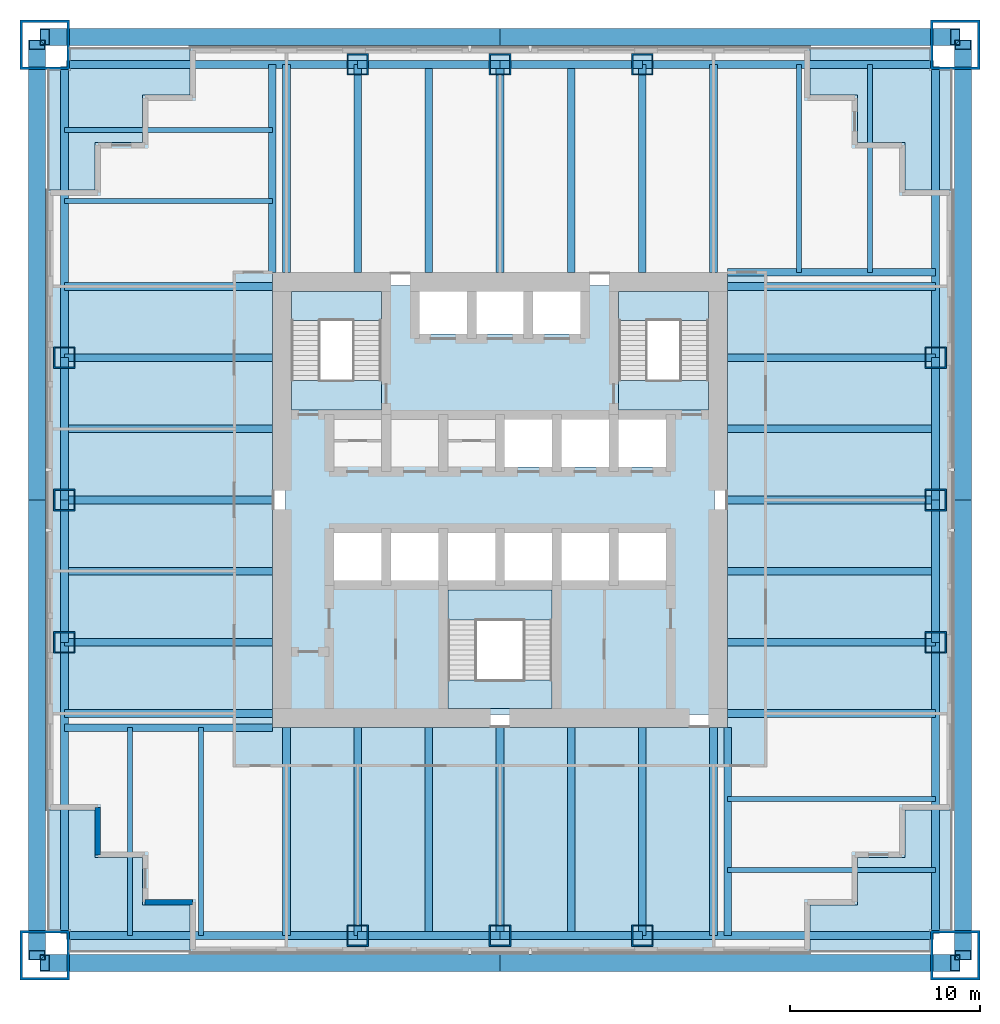
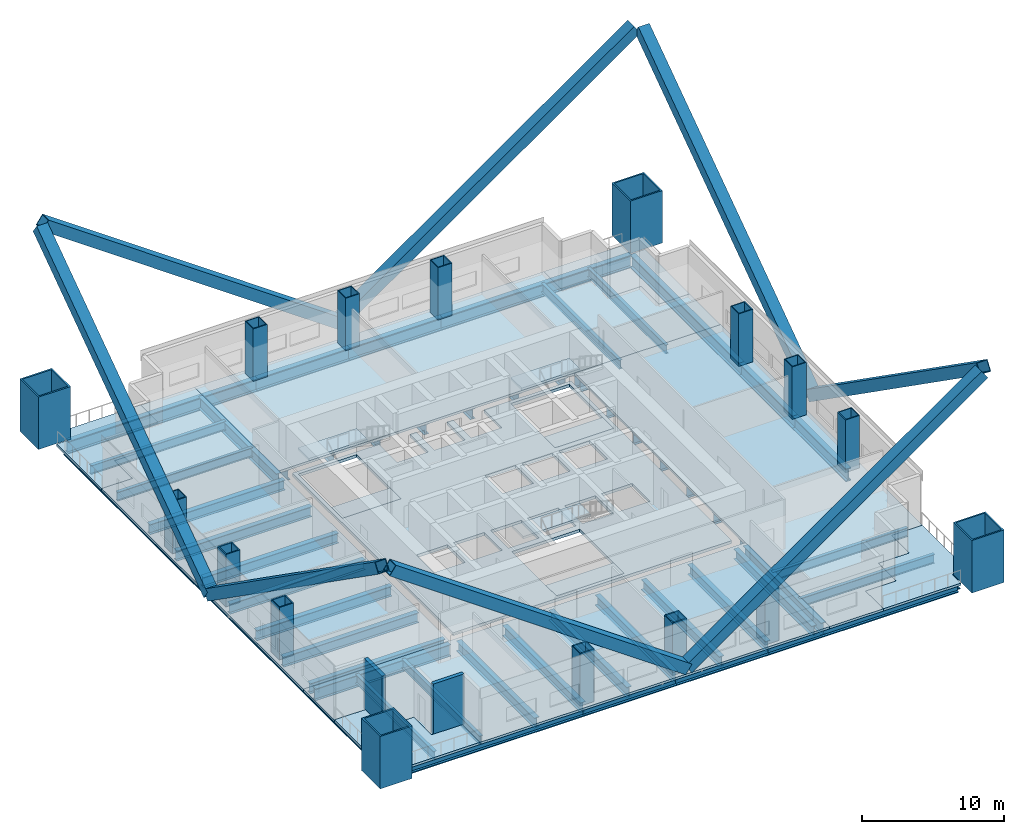
# One storey, part 1 of 7: 56 beams, 16 columns, 15 slabs, 8 members, 2 walls, 3 elements without a shape of their own.
"""IFC4 building model written with IfcOpenShell, lengths in metres."""

from ifc_helpers import new_model, si_unit, direction, frame, frame_2d, origin, origin_2d, place, context, subcontext, project, spatial, polyline, rectangle, hollow_rectangle, i_section, outline, extrude, material, layer, layer_set, material_profile, profile_set, type_object, element, aggregate, save


model = new_model("IFC4")

# Units and contexts
model_context = context("Model", 3, precision=1e-05, world=origin(), true_north=direction((0.0, 1.0)))
body_context = subcontext(model_context, "Body", "Model", "MODEL_VIEW")
ifc_project = project(units=[si_unit("LENGTHUNIT", "METRE"), si_unit("AREAUNIT", "SQUARE_METRE"), si_unit("VOLUMEUNIT", "CUBIC_METRE"), si_unit("PLANEANGLEUNIT", "RADIAN"), si_unit("MASSUNIT", "GRAM", prefix="KILO")], contexts=[model_context])

# Site, building, storey
site_placement = place(None, origin())
site = spatial("IfcSite", under=ifc_project, at=site_placement, CompositionType="ELEMENT")
building_placement = place(site_placement, origin())
building = spatial("IfcBuilding", under=site, at=building_placement, Name="Tarangal Relay Tower", CompositionType="ELEMENT")
storey_placement = place(building_placement, frame((0.0, 0.0, 153.89990234375)))
storey = spatial("IfcBuildingStorey", under=building, at=storey_placement, Name="L31", CompositionType="ELEMENT", Elevation=153.89990234375)

# Columns
ifc_material_1 = material(Name="Steel ASTM A572 Grade 42", Category="steel")
ifc_material_profile_1 = material_profile(ifc_material_1, hollow_rectangle(XDim=2.60009765625, YDim=2.60009765625, WallThickness=0.1298828125, at=origin_2d()), Name="BOX2600X2600X130")
ifc_profile_set_1 = profile_set([ifc_material_profile_1], Name="Steel ASTM A572 Grade 42")
column_type_1 = type_object("IfcColumnType", Name="Mega column BOX2600X2600X130", PredefinedType="COLUMN", material=ifc_profile_set_1)
for number, where, z_axis, x_axis, name in (
    (1, (24.0, 24.0, 0.0), (0.0, 0.0, 1.0), (1.0, 0.0, 0.0), "Mega column MC2 NE L31"),
    (2, (24.0, -24.0, 0.0), (0.0, 0.0, 1.0), (1.0, 0.0, 0.0), "Mega column MC2 SE L31"),
    (3, (-24.0, -24.0, 0.0), (0.0, 0.0, 1.0), (1.0, 0.0, 0.0), "Mega column MC2 SW L31"),
    (4, (-24.0, 24.0, 0.0), (0.0, 0.0, 1.0), (1.0, 0.0, 0.0), "Mega column MC2 NW L31"),
):
    element("IfcColumn", number, at=place(storey_placement, frame(where, z_axis=z_axis, x_axis=x_axis)), inside=storey, type_object=column_type_1, Name=name, PredefinedType="COLUMN", context=body_context, shape_type="SweptSolid", body=[
        extrude(hollow_rectangle(XDim=2.60009765625, YDim=2.60009765625, WallThickness=0.1298828125, at=origin_2d()), origin(), (0.0, 0.0, 1.0), 4.5),
    ])
ifc_material_2 = material(Name="Steel ASTM A572 Grade 50", Category="steel")
ifc_material_profile_2 = material_profile(ifc_material_2, hollow_rectangle(XDim=1.14990234375, YDim=1.14990234375, WallThickness=0.074951171875, at=origin_2d()), Name="BOX1150X1150X75")
ifc_profile_set_2 = profile_set([ifc_material_profile_2], Name="Steel ASTM A572 Grade 50")
column_type_2 = type_object("IfcColumnType", Name="Perimeter column BOX1150X1150X75", PredefinedType="COLUMN", material=ifc_profile_set_2)
for number, where, z_axis, x_axis, name in (
    (5, (-7.5, 22.965087890625, 0.0), (0.0, 0.0, 1.0), (1.0, 0.0, 0.0), "Perimeter column PC3 N L31"),
    (6, (0.0, 22.965087890625, 0.0), (0.0, 0.0, 1.0), (1.0, 0.0, 0.0), "Perimeter column PC3 N L31"),
    (7, (7.5, 22.965087890625, 0.0), (0.0, 0.0, 1.0), (1.0, 0.0, 0.0), "Perimeter column PC3 N L31"),
    (8, (22.965087890625, 7.5, 0.0), (0.0, 0.0, 1.0), (1.0, 0.0, 0.0), "Perimeter column PC3 E L31"),
    (9, (22.965087890625, 0.0, 0.0), (0.0, 0.0, 1.0), (1.0, 0.0, 0.0), "Perimeter column PC3 E L31"),
    (10, (22.965087890625, -7.5, 0.0), (0.0, 0.0, 1.0), (1.0, 0.0, 0.0), "Perimeter column PC3 E L31"),
    (11, (7.5, -22.965087890625, 0.0), (0.0, 0.0, 1.0), (1.0, 0.0, 0.0), "Perimeter column PC3 S L31"),
    (12, (0.0, -22.965087890625, 0.0), (0.0, 0.0, 1.0), (1.0, 0.0, 0.0), "Perimeter column PC3 S L31"),
    (13, (-7.5, -22.965087890625, 0.0), (0.0, 0.0, 1.0), (1.0, 0.0, 0.0), "Perimeter column PC3 S L31"),
    (14, (-22.965087890625, -7.5, 0.0), (0.0, 0.0, 1.0), (1.0, 0.0, 0.0), "Perimeter column PC3 W L31"),
    (15, (-22.965087890625, 0.0, 0.0), (0.0, 0.0, 1.0), (1.0, 0.0, 0.0), "Perimeter column PC3 W L31"),
    (16, (-22.965087890625, 7.5, 0.0), (0.0, 0.0, 1.0), (1.0, 0.0, 0.0), "Perimeter column PC3 W L31"),
):
    element("IfcColumn", number, at=place(storey_placement, frame(where, z_axis=z_axis, x_axis=x_axis)), inside=storey, type_object=column_type_2, Name=name, PredefinedType="COLUMN", context=body_context, shape_type="SweptSolid", body=[
        extrude(hollow_rectangle(XDim=1.14990234375, YDim=1.14990234375, WallThickness=0.074951171875, at=origin_2d()), origin(), (0.0, 0.0, 1.0), 4.5),
    ])

# Beams
ifc_material_3 = material(Name="Steel ASTM A992", Category="steel")
ifc_material_profile_3 = material_profile(ifc_material_3, i_section(OverallWidth=0.2666015625, OverallDepth=0.76953125, WebThickness=0.015625, FlangeThickness=0.025390625, at=origin_2d()), Name="W30X132")
ifc_profile_set_3 = profile_set([ifc_material_profile_3], Name="Steel ASTM A992")
beam_type_1 = type_object("IfcBeamType", Name="Corner beam W30X132", PredefinedType="JOIST", material=ifc_profile_set_3)
for number, where, z_axis, x_axis, name in (
    (17, (15.75, 12.0, -0.584716796875), (0.0, 1.0, 0.0), (-1.0, 0.0, 0.0), "Corner beam CB13 N L31"),
    (18, (19.5, 12.0, -0.584716796875), (0.0, 1.0, 0.0), (-1.0, 0.0, 0.0), "Corner beam CB13 N L31"),
    (19, (12.0, -15.75, -0.584716796875), (1.0, 0.0, 0.0), (0.0, 1.0, 0.0), "Corner beam CB13 E L31"),
    (20, (12.0, -19.5, -0.584716796875), (1.0, 0.0, 0.0), (0.0, 1.0, 0.0), "Corner beam CB13 E L31"),
    (21, (-15.75, -12.0, -0.584716796875), (0.0, -1.0, 0.0), (1.0, 0.0, 0.0), "Corner beam CB13 S L31"),
    (22, (-19.5, -12.0, -0.584716796875), (0.0, -1.0, 0.0), (1.0, 0.0, 0.0), "Corner beam CB13 S L31"),
    (23, (-12.0, 15.75, -0.584716796875), (-1.0, 0.0, 0.0), (0.0, -1.0, 0.0), "Corner beam CB13 W L31"),
    (24, (-12.0, 19.5, -0.584716796875), (-1.0, 0.0, 0.0), (0.0, -1.0, 0.0), "Corner beam CB13 W L31"),
):
    element("IfcBeam", number, at=place(storey_placement, frame(where, z_axis=z_axis, x_axis=x_axis)), inside=storey, type_object=beam_type_1, Name=name, PredefinedType="JOIST", context=body_context, shape_type="SweptSolid", body=[
        extrude(i_section(OverallWidth=0.2666015625, OverallDepth=0.76953125, WebThickness=0.015625, FlangeThickness=0.025390625, at=origin_2d()), origin(), (0.0, 0.0, 1.0), 10.965087890625),
    ])
ifc_material_profile_4 = material_profile(ifc_material_3, i_section(OverallWidth=0.4013671875, OverallDepth=1.01611328125, WebThickness=0.02099609375, FlangeThickness=0.0400390625, at=origin_2d()), Name="W40X277")
ifc_profile_set_4 = profile_set([ifc_material_profile_4], Name="Steel ASTM A992")
beam_type_2 = type_object("IfcBeamType", Name="Corner girder W40X277", PredefinedType="BEAM", material=ifc_profile_set_4)
for number, where, z_axis, x_axis, name in (
    (25, (12.0, 12.0, -0.7080078125), (1.0, 0.0, 0.0), (0.0, 1.0, 0.0), "Corner girder CG3 N L31"),
    (26, (12.0, -12.0, -0.7080078125), (0.0, -1.0, 0.0), (1.0, 0.0, 0.0), "Corner girder CG3 E L31"),
    (27, (-12.0, -12.0, -0.7080078125), (-1.0, 0.0, 0.0), (0.0, -1.0, 0.0), "Corner girder CG3 S L31"),
    (28, (-12.0, 12.0, -0.7080078125), (0.0, 1.0, 0.0), (-1.0, 0.0, 0.0), "Corner girder CG3 W L31"),
):
    element("IfcBeam", number, at=place(storey_placement, frame(where, z_axis=z_axis, x_axis=x_axis)), inside=storey, type_object=beam_type_2, Name=name, PredefinedType="BEAM", context=body_context, shape_type="SweptSolid", body=[
        extrude(i_section(OverallWidth=0.4013671875, OverallDepth=1.01611328125, WebThickness=0.02099609375, FlangeThickness=0.0400390625, at=origin_2d()), origin(), (0.0, 0.0, 1.0), 10.965087890625),
    ])
ifc_material_profile_5 = material_profile(ifc_material_3, i_section(OverallWidth=0.42431640625, OverallDepth=1.09228515625, WebThickness=0.04541015625, FlangeThickness=0.08203125, at=origin_2d()), Name="W40X593")
ifc_profile_set_5 = profile_set([ifc_material_profile_5], Name="Steel ASTM A992")
beam_type_3 = type_object("IfcBeamType", Name="Edge girder W40X593", PredefinedType="SPANDREL", material=ifc_profile_set_5)
beam_1_placement = place(storey_placement, frame((-22.85009765625, 22.965087890625, -0.74609375), z_axis=(1.0, 0.0, 0.0), x_axis=(0.0, 1.0, 0.0)))
element("IfcBeam", 29, at=beam_1_placement, inside=storey, type_object=beam_type_3, Name="Edge girder EG9 N L31", PredefinedType="SPANDREL", context=body_context, shape_type="SweptSolid", body=[
    extrude(i_section(OverallWidth=0.42431640625, OverallDepth=1.09228515625, WebThickness=0.04541015625, FlangeThickness=0.08203125, at=origin_2d()), origin(), (0.0, 0.0, 1.0), 15.35009765625),
])
for number, where, z_axis, x_axis, name in (
    (30, (-7.5, 22.965087890625, -0.74609375), (1.0, 0.0, 0.0), (0.0, 1.0, 0.0), "Edge girder EG9 N L31"),
    (31, (0.0, 22.965087890625, -0.74609375), (1.0, 0.0, 0.0), (0.0, 1.0, 0.0), "Edge girder EG9 N L31"),
):
    element("IfcBeam", number, at=place(storey_placement, frame(where, z_axis=z_axis, x_axis=x_axis)), inside=storey, type_object=beam_type_3, Name=name, PredefinedType="SPANDREL", context=body_context, shape_type="SweptSolid", body=[
        extrude(i_section(OverallWidth=0.42431640625, OverallDepth=1.09228515625, WebThickness=0.04541015625, FlangeThickness=0.08203125, at=origin_2d()), origin(), (0.0, 0.0, 1.0), 7.5),
    ])
for number, where, z_axis, x_axis, name in (
    (32, (7.5, 22.965087890625, -0.74609375), (1.0, 0.0, 0.0), (0.0, 1.0, 0.0), "Edge girder EG9 N L31"),
    (33, (22.965087890625, 22.85009765625, -0.74609375), (0.0, -1.0, 0.0), (1.0, 0.0, 0.0), "Edge girder EG9 E L31"),
):
    element("IfcBeam", number, at=place(storey_placement, frame(where, z_axis=z_axis, x_axis=x_axis)), inside=storey, type_object=beam_type_3, Name=name, PredefinedType="SPANDREL", context=body_context, shape_type="SweptSolid", body=[
        extrude(i_section(OverallWidth=0.42431640625, OverallDepth=1.09228515625, WebThickness=0.04541015625, FlangeThickness=0.08203125, at=origin_2d()), origin(), (0.0, 0.0, 1.0), 15.35009765625),
    ])
for number, where, z_axis, x_axis, name in (
    (34, (22.965087890625, 7.5, -0.74609375), (0.0, -1.0, 0.0), (1.0, 0.0, 0.0), "Edge girder EG9 E L31"),
    (35, (22.965087890625, 0.0, -0.74609375), (0.0, -1.0, 0.0), (1.0, 0.0, 0.0), "Edge girder EG9 E L31"),
):
    element("IfcBeam", number, at=place(storey_placement, frame(where, z_axis=z_axis, x_axis=x_axis)), inside=storey, type_object=beam_type_3, Name=name, PredefinedType="SPANDREL", context=body_context, shape_type="SweptSolid", body=[
        extrude(i_section(OverallWidth=0.42431640625, OverallDepth=1.09228515625, WebThickness=0.04541015625, FlangeThickness=0.08203125, at=origin_2d()), origin(), (0.0, 0.0, 1.0), 7.5),
    ])
for number, where, z_axis, x_axis, name in (
    (36, (22.965087890625, -7.5, -0.74609375), (0.0, -1.0, 0.0), (1.0, 0.0, 0.0), "Edge girder EG9 E L31"),
    (37, (22.85009765625, -22.965087890625, -0.74609375), (-1.0, 0.0, 0.0), (0.0, -1.0, 0.0), "Edge girder EG9 S L31"),
):
    element("IfcBeam", number, at=place(storey_placement, frame(where, z_axis=z_axis, x_axis=x_axis)), inside=storey, type_object=beam_type_3, Name=name, PredefinedType="SPANDREL", context=body_context, shape_type="SweptSolid", body=[
        extrude(i_section(OverallWidth=0.42431640625, OverallDepth=1.09228515625, WebThickness=0.04541015625, FlangeThickness=0.08203125, at=origin_2d()), origin(), (0.0, 0.0, 1.0), 15.35009765625),
    ])
for number, where, z_axis, x_axis, name in (
    (38, (7.5, -22.965087890625, -0.74609375), (-1.0, 0.0, 0.0), (0.0, -1.0, 0.0), "Edge girder EG9 S L31"),
    (39, (0.0, -22.965087890625, -0.74609375), (-1.0, 0.0, 0.0), (0.0, -1.0, 0.0), "Edge girder EG9 S L31"),
):
    element("IfcBeam", number, at=place(storey_placement, frame(where, z_axis=z_axis, x_axis=x_axis)), inside=storey, type_object=beam_type_3, Name=name, PredefinedType="SPANDREL", context=body_context, shape_type="SweptSolid", body=[
        extrude(i_section(OverallWidth=0.42431640625, OverallDepth=1.09228515625, WebThickness=0.04541015625, FlangeThickness=0.08203125, at=origin_2d()), origin(), (0.0, 0.0, 1.0), 7.5),
    ])
for number, where, z_axis, x_axis, name in (
    (40, (-7.5, -22.965087890625, -0.74609375), (-1.0, 0.0, 0.0), (0.0, -1.0, 0.0), "Edge girder EG9 S L31"),
    (41, (-22.965087890625, -22.85009765625, -0.74609375), (0.0, 1.0, 0.0), (-1.0, 0.0, 0.0), "Edge girder EG9 W L31"),
):
    element("IfcBeam", number, at=place(storey_placement, frame(where, z_axis=z_axis, x_axis=x_axis)), inside=storey, type_object=beam_type_3, Name=name, PredefinedType="SPANDREL", context=body_context, shape_type="SweptSolid", body=[
        extrude(i_section(OverallWidth=0.42431640625, OverallDepth=1.09228515625, WebThickness=0.04541015625, FlangeThickness=0.08203125, at=origin_2d()), origin(), (0.0, 0.0, 1.0), 15.35009765625),
    ])
for number, where, z_axis, x_axis, name in (
    (42, (-22.965087890625, -7.5, -0.74609375), (0.0, 1.0, 0.0), (-1.0, 0.0, 0.0), "Edge girder EG9 W L31"),
    (43, (-22.965087890625, 0.0, -0.74609375), (0.0, 1.0, 0.0), (-1.0, 0.0, 0.0), "Edge girder EG9 W L31"),
):
    element("IfcBeam", number, at=place(storey_placement, frame(where, z_axis=z_axis, x_axis=x_axis)), inside=storey, type_object=beam_type_3, Name=name, PredefinedType="SPANDREL", context=body_context, shape_type="SweptSolid", body=[
        extrude(i_section(OverallWidth=0.42431640625, OverallDepth=1.09228515625, WebThickness=0.04541015625, FlangeThickness=0.08203125, at=origin_2d()), origin(), (0.0, 0.0, 1.0), 7.5),
    ])
beam_2_placement = place(storey_placement, frame((-22.965087890625, 7.5, -0.74609375), z_axis=(0.0, 1.0, 0.0), x_axis=(-1.0, 0.0, 0.0)))
element("IfcBeam", 44, at=beam_2_placement, inside=storey, type_object=beam_type_3, Name="Edge girder EG9 W L31", PredefinedType="SPANDREL", context=body_context, shape_type="SweptSolid", body=[
    extrude(i_section(OverallWidth=0.42431640625, OverallDepth=1.09228515625, WebThickness=0.04541015625, FlangeThickness=0.08203125, at=origin_2d()), origin(), (0.0, 0.0, 1.0), 15.35009765625),
])
ifc_material_profile_6 = material_profile(ifc_material_3, i_section(OverallWidth=0.40380859375, OverallDepth=0.86865234375, WebThickness=0.02099609375, FlangeThickness=0.03564453125, at=origin_2d()), Name="W33X241")
ifc_profile_set_6 = profile_set([ifc_material_profile_6], Name="Steel ASTM A992")
beam_type_4 = type_object("IfcBeamType", Name="Floor beam W33X241", PredefinedType="BEAM", material=ifc_profile_set_6)
for number, where, z_axis, x_axis, name in (
    (45, (-11.25, 12.0, -0.63427734375), (0.0, 1.0, 0.0), (-1.0, 0.0, 0.0), "Floor beam RB11 N L31"),
    (46, (-7.5, 12.0, -0.63427734375), (0.0, 1.0, 0.0), (-1.0, 0.0, 0.0), "Floor beam RB11 N L31"),
    (47, (-3.75, 12.0, -0.63427734375), (0.0, 1.0, 0.0), (-1.0, 0.0, 0.0), "Floor beam RB11 N L31"),
    (48, (0.0, 12.0, -0.63427734375), (0.0, 1.0, 0.0), (-1.0, 0.0, 0.0), "Floor beam RB11 N L31"),
    (49, (3.75, 12.0, -0.63427734375), (0.0, 1.0, 0.0), (-1.0, 0.0, 0.0), "Floor beam RB11 N L31"),
    (50, (7.5, 12.0, -0.63427734375), (0.0, 1.0, 0.0), (-1.0, 0.0, 0.0), "Floor beam RB11 N L31"),
    (51, (11.25, 12.0, -0.63427734375), (0.0, 1.0, 0.0), (-1.0, 0.0, 0.0), "Floor beam RB11 N L31"),
    (52, (12.0, 11.25, -0.63427734375), (1.0, 0.0, 0.0), (0.0, 1.0, 0.0), "Floor beam RB11 E L31"),
    (53, (12.0, 7.5, -0.63427734375), (1.0, 0.0, 0.0), (0.0, 1.0, 0.0), "Floor beam RB11 E L31"),
    (54, (12.0, 3.75, -0.63427734375), (1.0, 0.0, 0.0), (0.0, 1.0, 0.0), "Floor beam RB11 E L31"),
    (55, (12.0, 0.0, -0.63427734375), (1.0, 0.0, 0.0), (0.0, 1.0, 0.0), "Floor beam RB11 E L31"),
    (56, (12.0, -3.75, -0.63427734375), (1.0, 0.0, 0.0), (0.0, 1.0, 0.0), "Floor beam RB11 E L31"),
    (57, (12.0, -7.5, -0.63427734375), (1.0, 0.0, 0.0), (0.0, 1.0, 0.0), "Floor beam RB11 E L31"),
    (58, (12.0, -11.25, -0.63427734375), (1.0, 0.0, 0.0), (0.0, 1.0, 0.0), "Floor beam RB11 E L31"),
    (59, (11.25, -12.0, -0.63427734375), (0.0, -1.0, 0.0), (1.0, 0.0, 0.0), "Floor beam RB11 S L31"),
    (60, (7.5, -12.0, -0.63427734375), (0.0, -1.0, 0.0), (1.0, 0.0, 0.0), "Floor beam RB11 S L31"),
    (61, (3.75, -12.0, -0.63427734375), (0.0, -1.0, 0.0), (1.0, 0.0, 0.0), "Floor beam RB11 S L31"),
    (62, (0.0, -12.0, -0.63427734375), (0.0, -1.0, 0.0), (1.0, 0.0, 0.0), "Floor beam RB11 S L31"),
    (63, (-3.75, -12.0, -0.63427734375), (0.0, -1.0, 0.0), (1.0, 0.0, 0.0), "Floor beam RB11 S L31"),
    (64, (-7.5, -12.0, -0.63427734375), (0.0, -1.0, 0.0), (1.0, 0.0, 0.0), "Floor beam RB11 S L31"),
    (65, (-11.25, -12.0, -0.63427734375), (0.0, -1.0, 0.0), (1.0, 0.0, 0.0), "Floor beam RB11 S L31"),
    (66, (-12.0, -11.25, -0.63427734375), (-1.0, 0.0, 0.0), (0.0, -1.0, 0.0), "Floor beam RB11 W L31"),
    (67, (-12.0, -7.5, -0.63427734375), (-1.0, 0.0, 0.0), (0.0, -1.0, 0.0), "Floor beam RB11 W L31"),
    (68, (-12.0, -3.75, -0.63427734375), (-1.0, 0.0, 0.0), (0.0, -1.0, 0.0), "Floor beam RB11 W L31"),
    (69, (-12.0, 0.0, -0.63427734375), (-1.0, 0.0, 0.0), (0.0, -1.0, 0.0), "Floor beam RB11 W L31"),
    (70, (-12.0, 3.75, -0.63427734375), (-1.0, 0.0, 0.0), (0.0, -1.0, 0.0), "Floor beam RB11 W L31"),
    (71, (-12.0, 7.5, -0.63427734375), (-1.0, 0.0, 0.0), (0.0, -1.0, 0.0), "Floor beam RB11 W L31"),
    (72, (-12.0, 11.25, -0.63427734375), (-1.0, 0.0, 0.0), (0.0, -1.0, 0.0), "Floor beam RB11 W L31"),
):
    element("IfcBeam", number, at=place(storey_placement, frame(where, z_axis=z_axis, x_axis=x_axis)), inside=storey, type_object=beam_type_4, Name=name, PredefinedType="BEAM", context=body_context, shape_type="SweptSolid", body=[
        extrude(i_section(OverallWidth=0.40380859375, OverallDepth=0.86865234375, WebThickness=0.02099609375, FlangeThickness=0.03564453125, at=origin_2d()), origin(), (0.0, 0.0, 1.0), 10.965087890625),
    ])

# Members
ifc_material_profile_7 = material_profile(ifc_material_2, hollow_rectangle(XDim=0.89990234375, YDim=0.89990234375, WallThickness=0.050048828125, at=origin_2d()), Name="BOX900X900X50")
ifc_profile_set_7 = profile_set([ifc_material_profile_7], Name="Steel ASTM A572 Grade 50")
member_type = type_object("IfcMemberType", Name="Mega brace BOX900X900X50", PredefinedType="BRACE", material=ifc_profile_set_7)
for number, where, z_axis, x_axis, name in (
    (73, (0.0, 24.39990234375, 1.125), (0.818029158386, 0.0, 0.57517675199), (0.0, 1.0, 0.0), "Mega brace MB2 N face module 2"),
    (74, (0.0, 24.39990234375, 1.125), (-0.818029158386, 0.0, 0.57517675199), (0.0, -1.0, 0.0), "Mega brace MB2 N face module 2"),
    (75, (24.39990234375, 0.0, 1.125), (0.0, -0.818029158386, 0.57517675199), (1.0, 0.0, 0.0), "Mega brace MB2 E face module 2"),
    (76, (24.39990234375, 0.0, 1.125), (0.0, 0.818029158386, 0.57517675199), (-1.0, 0.0, 0.0), "Mega brace MB2 E face module 2"),
    (77, (0.0, -24.39990234375, 1.125), (-0.818029158386, 0.0, 0.57517675199), (0.0, -1.0, 0.0), "Mega brace MB2 S face module 2"),
    (78, (0.0, -24.39990234375, 1.125), (0.818029158386, 0.0, 0.57517675199), (0.0, 1.0, 0.0), "Mega brace MB2 S face module 2"),
    (79, (-24.39990234375, 0.0, 1.125), (0.0, 0.818029158386, 0.57517675199), (-1.0, 0.0, 0.0), "Mega brace MB2 W face module 2"),
    (80, (-24.39990234375, 0.0, 1.125), (0.0, -0.818029158386, 0.57517675199), (1.0, 0.0, 0.0), "Mega brace MB2 W face module 2"),
):
    element("IfcMember", number, at=place(storey_placement, frame(where, z_axis=z_axis, x_axis=x_axis)), inside=storey, type_object=member_type, Name=name, PredefinedType="BRACE", context=body_context, shape_type="SweptSolid", body=[
        extrude(hollow_rectangle(XDim=0.89990234375, YDim=0.89990234375, WallThickness=0.050048828125, at=origin_2d()), origin(), (0.0, 0.0, 1.0), 29.3388671875),
    ])

# Slabs
ifc_material_4 = material(Name="Concrete fc' 35 MPa", Category="concrete")
ifc_layer_1 = layer(ifc_material_4, 0.25)
ifc_layer_set_1 = layer_set([ifc_layer_1], Name="Core floor slab 250")
slab_type_1 = type_object("IfcSlabType", Name="Core floor slab 250", PredefinedType="FLOOR", material=ifc_layer_set_1)
slab_1_placement = place(storey_placement, frame((0.0, 0.0, -0.25)))
element("IfcSlab", 81, at=slab_1_placement, inside=storey, type_object=slab_type_1, Name="Core floor slab L31", PredefinedType="FLOOR", context=body_context, shape_type="SweptSolid", body=[
    extrude(outline(polyline([(11.300048828125, 11.300048828125), (11.300048828125, -11.300048828125), (-11.300048828125, -11.300048828125), (-11.300048828125, 11.300048828125), (-4.25, 11.300048828125), (-4.25, 8.75), (-1.75, 8.75), (-1.75, 11.300048828125), (-1.25, 11.300048828125), (-1.25, 8.75), (1.25, 8.75), (1.25, 11.300048828125), (1.75, 11.300048828125), (1.75, 8.75), (4.25, 8.75), (4.25, 11.300048828125), (11.300048828125, 11.300048828125)]), holes=[polyline([(2.75, -4.75), (-2.75, -4.75), (-2.75, -11.0), (2.75, -11.0), (2.75, -4.75)]), polyline([(-6.25, -4.25), (-6.25, -1.75), (-8.75, -1.75), (-8.75, -4.25), (-6.25, -4.25)]), polyline([(-3.25, -4.25), (-3.25, -1.75), (-5.75, -1.75), (-5.75, -4.25), (-3.25, -4.25)]), polyline([(-0.25, -4.25), (-0.25, -1.75), (-2.75, -1.75), (-2.75, -4.25), (-0.25, -4.25)]), polyline([(2.75, 1.75), (2.75, 4.25), (0.25, 4.25), (0.25, 1.75), (2.75, 1.75)]), polyline([(-6.25, 4.75), (-6.25, 11.0), (-11.0, 11.0), (-11.0, 4.75), (-6.25, 4.75)]), polyline([(2.75, -4.25), (2.75, -1.75), (0.25, -1.75), (0.25, -4.25), (2.75, -4.25)]), polyline([(5.75, -4.25), (5.75, -1.75), (3.25, -1.75), (3.25, -4.25), (5.75, -4.25)]), polyline([(8.75, -4.25), (8.75, -1.75), (6.25, -1.75), (6.25, -4.25), (8.75, -4.25)]), polyline([(5.75, 1.75), (5.75, 4.25), (3.25, 4.25), (3.25, 1.75), (5.75, 1.75)]), polyline([(8.75, 1.75), (8.75, 4.25), (6.25, 4.25), (6.25, 1.75), (8.75, 1.75)]), polyline([(11.0, 4.75), (11.0, 11.0), (6.25, 11.0), (6.25, 4.75), (11.0, 4.75)])]), origin(), (0.0, 0.0, 1.0), 0.25),
])
ifc_layer_2 = layer(ifc_material_4, 0.199951171875)
ifc_layer_set_2 = layer_set([ifc_layer_2], Name="Floor slab 200")
slab_type_2 = type_object("IfcSlabType", Name="Floor slab 200", PredefinedType="FLOOR", material=ifc_layer_set_2)
slab_2_placement = place(storey_placement, frame((0.0, 0.0, -0.199951171875)))
element("IfcSlab", 82, at=slab_2_placement, inside=storey, type_object=slab_type_2, Name="Floor slab FS2 L31 north bay", PredefinedType="FLOOR", context=body_context, shape_type="SweptSolid", body=[
    extrude(outline(polyline([(16.35009765625, 23.85009765625), (16.35009765625, 21.35009765625), (18.85009765625, 21.35009765625), (18.85009765625, 18.85009765625), (21.35009765625, 18.85009765625), (21.35009765625, 16.35009765625), (23.85009765625, 16.35009765625), (23.85009765625, 12.0), (-12.0, 12.0), (-12.0, 23.85009765625), (16.35009765625, 23.85009765625)])), origin(), (0.0, 0.0, 1.0), 0.199951171875),
])
slab_3_placement = place(storey_placement, frame((0.0, 0.0, -0.199951171875)))
element("IfcSlab", 83, at=slab_3_placement, inside=storey, type_object=slab_type_2, Name="Floor slab FS2 L31 east bay", PredefinedType="FLOOR", context=body_context, shape_type="SweptSolid", body=[
    extrude(outline(polyline([(23.85009765625, -16.35009765625), (21.35009765625, -16.35009765625), (21.35009765625, -18.85009765625), (18.85009765625, -18.85009765625), (18.85009765625, -21.35009765625), (16.35009765625, -21.35009765625), (16.35009765625, -23.85009765625), (12.0, -23.85009765625), (12.0, 12.0), (23.85009765625, 12.0), (23.85009765625, -16.35009765625)])), origin(), (0.0, 0.0, 1.0), 0.199951171875),
])
slab_4_placement = place(storey_placement, frame((0.0, 0.0, -0.199951171875)))
element("IfcSlab", 84, at=slab_4_placement, inside=storey, type_object=slab_type_2, Name="Floor slab FS2 L31 south bay", PredefinedType="FLOOR", context=body_context, shape_type="SweptSolid", body=[
    extrude(outline(polyline([(-16.35009765625, -23.85009765625), (-16.35009765625, -21.35009765625), (-18.85009765625, -21.35009765625), (-18.85009765625, -18.85009765625), (-21.35009765625, -18.85009765625), (-21.35009765625, -16.35009765625), (-23.85009765625, -16.35009765625), (-23.85009765625, -12.0), (12.0, -12.0), (12.0, -23.85009765625), (-16.35009765625, -23.85009765625)])), origin(), (0.0, 0.0, 1.0), 0.199951171875),
])
slab_5_placement = place(storey_placement, frame((0.0, 0.0, -0.199951171875)))
element("IfcSlab", 85, at=slab_5_placement, inside=storey, type_object=slab_type_2, Name="Floor slab FS2 L31 west bay", PredefinedType="FLOOR", context=body_context, shape_type="SweptSolid", body=[
    extrude(outline(polyline([(-12.0, 23.85009765625), (-12.0, -12.0), (-23.85009765625, -12.0), (-23.85009765625, 16.35009765625), (-21.35009765625, 16.35009765625), (-21.35009765625, 18.85009765625), (-18.85009765625, 18.85009765625), (-18.85009765625, 21.35009765625), (-16.35009765625, 21.35009765625), (-16.35009765625, 23.85009765625), (-12.0, 23.85009765625)])), origin(), (0.0, 0.0, 1.0), 0.199951171875),
])

# Stair, slabs
ifc_material_5 = material(Name="Steel ASTM A992 stair flight", Category="steel")
stair_type = type_object("IfcStairType", Name="Core stair 1500", PredefinedType="HALF_TURN_STAIR", material=ifc_material_5)
stair_1_placement = place(storey_placement, origin())
stair_1 = element("IfcStair", 86, at=stair_1_placement, inside=storey, type_object=stair_type, Name="Stair ST-A L31", PredefinedType="HALF_TURN_STAIR")
ifc_layer_3 = layer(ifc_material_4, 0.199951171875)
ifc_layer_set_3 = layer_set([ifc_layer_3], Name="Stair landing 200")
slab_type_3 = type_object("IfcSlabType", Name="Stair landing 200", PredefinedType="LANDING", material=ifc_layer_set_3)
slab_6_placement = place(storey_placement, frame((0.0, 0.0, -0.199951171875)))
slab_6 = element("IfcSlab", 87, at=slab_6_placement, type_object=slab_type_3, Name="ST-A landing 1", PredefinedType="LANDING", context=body_context, shape_type="SweptSolid", body=[
    extrude(outline(polyline([(-11.0, 4.75), (-6.25, 4.75), (-6.25, 6.300048828125), (-11.0, 6.300048828125), (-11.0, 4.75)])), origin(), (0.0, 0.0, 1.0), 0.199951171875),
])
slab_7_placement = place(storey_placement, frame((0.0, 0.0, 2.050048828125)))
slab_7 = element("IfcSlab", 88, at=slab_7_placement, type_object=slab_type_3, Name="ST-A landing 2", PredefinedType="LANDING", context=body_context, shape_type="SweptSolid", body=[
    extrude(outline(polyline([(-11.0, 9.468017578125), (-6.25, 9.468017578125), (-6.25, 11.0), (-11.0, 11.0), (-11.0, 9.468017578125)])), origin(), (0.0, 0.0, 1.0), 0.199951171875),
])
aggregate(stair_1, [slab_6, slab_7])

stair_2_placement = place(storey_placement, origin())
stair_2 = element("IfcStair", 89, at=stair_2_placement, inside=storey, type_object=stair_type, Name="Stair ST-B L31", PredefinedType="HALF_TURN_STAIR")
slab_8_placement = place(storey_placement, frame((0.0, 0.0, -0.199951171875)))
slab_8 = element("IfcSlab", 90, at=slab_8_placement, type_object=slab_type_3, Name="ST-B landing 1", PredefinedType="LANDING", context=body_context, shape_type="SweptSolid", body=[
    extrude(outline(polyline([(6.25, 4.75), (11.0, 4.75), (11.0, 6.300048828125), (6.25, 6.300048828125), (6.25, 4.75)])), origin(), (0.0, 0.0, 1.0), 0.199951171875),
])
slab_9_placement = place(storey_placement, frame((0.0, 0.0, 2.050048828125)))
slab_9 = element("IfcSlab", 91, at=slab_9_placement, type_object=slab_type_3, Name="ST-B landing 2", PredefinedType="LANDING", context=body_context, shape_type="SweptSolid", body=[
    extrude(outline(polyline([(6.25, 9.468017578125), (11.0, 9.468017578125), (11.0, 11.0), (6.25, 11.0), (6.25, 9.468017578125)])), origin(), (0.0, 0.0, 1.0), 0.199951171875),
])
aggregate(stair_2, [slab_8, slab_9])

stair_3_placement = place(storey_placement, origin())
stair_3 = element("IfcStair", 92, at=stair_3_placement, inside=storey, type_object=stair_type, Name="Stair ST-C L31", PredefinedType="HALF_TURN_STAIR")
slab_10_placement = place(storey_placement, frame((0.0, 0.0, -0.199951171875)))
slab_10 = element("IfcSlab", 93, at=slab_10_placement, type_object=slab_type_3, Name="ST-C landing 1", PredefinedType="LANDING", context=body_context, shape_type="SweptSolid", body=[
    extrude(outline(polyline([(-2.75, -11.0), (2.75, -11.0), (2.75, -9.5), (-2.75, -9.5), (-2.75, -11.0)])), origin(), (0.0, 0.0, 1.0), 0.199951171875),
])
slab_11_placement = place(storey_placement, frame((0.0, 0.0, 2.050048828125)))
slab_11 = element("IfcSlab", 94, at=slab_11_placement, type_object=slab_type_3, Name="ST-C landing 2", PredefinedType="LANDING", context=body_context, shape_type="SweptSolid", body=[
    extrude(outline(polyline([(-2.75, -6.33203125), (2.75, -6.33203125), (2.75, -4.75), (-2.75, -4.75), (-2.75, -6.33203125)])), origin(), (0.0, 0.0, 1.0), 0.199951171875),
])
aggregate(stair_3, [slab_10, slab_11])

# Slabs
ifc_layer_4 = layer(ifc_material_4, 0.199951171875)
ifc_layer_set_4 = layer_set([ifc_layer_4], Name="Terrace slab 200")
slab_type_4 = type_object("IfcSlabType", Name="Terrace slab 200", PredefinedType="FLOOR", material=ifc_layer_set_4)
slab_12_placement = place(storey_placement, frame((0.0, 0.0, -0.199951171875)))
element("IfcSlab", 95, at=slab_12_placement, inside=storey, type_object=slab_type_4, Name="Corner terrace NE L31", PredefinedType="FLOOR", context=body_context, shape_type="SweptSolid", body=[
    extrude(outline(polyline([(16.35009765625, 23.85009765625), (16.35009765625, 21.35009765625), (18.85009765625, 21.35009765625), (18.85009765625, 18.85009765625), (21.35009765625, 18.85009765625), (21.35009765625, 16.35009765625), (23.85009765625, 16.35009765625), (23.85009765625, 22.64990234375), (22.64990234375, 22.64990234375), (22.64990234375, 23.85009765625), (16.35009765625, 23.85009765625)])), origin(), (0.0, 0.0, 1.0), 0.199951171875),
])
slab_13_placement = place(storey_placement, frame((0.0, 0.0, -0.199951171875)))
element("IfcSlab", 96, at=slab_13_placement, inside=storey, type_object=slab_type_4, Name="Corner terrace SE L31", PredefinedType="FLOOR", context=body_context, shape_type="SweptSolid", body=[
    extrude(outline(polyline([(23.85009765625, -16.35009765625), (21.35009765625, -16.35009765625), (21.35009765625, -18.85009765625), (18.85009765625, -18.85009765625), (18.85009765625, -21.35009765625), (16.35009765625, -21.35009765625), (16.35009765625, -23.85009765625), (22.64990234375, -23.85009765625), (22.64990234375, -22.64990234375), (23.85009765625, -22.64990234375), (23.85009765625, -16.35009765625)])), origin(), (0.0, 0.0, 1.0), 0.199951171875),
])
slab_14_placement = place(storey_placement, frame((0.0, 0.0, -0.199951171875)))
element("IfcSlab", 97, at=slab_14_placement, inside=storey, type_object=slab_type_4, Name="Corner terrace SW L31", PredefinedType="FLOOR", context=body_context, shape_type="SweptSolid", body=[
    extrude(outline(polyline([(-16.35009765625, -23.85009765625), (-16.35009765625, -21.35009765625), (-18.85009765625, -21.35009765625), (-18.85009765625, -18.85009765625), (-21.35009765625, -18.85009765625), (-21.35009765625, -16.35009765625), (-23.85009765625, -16.35009765625), (-23.85009765625, -22.64990234375), (-22.64990234375, -22.64990234375), (-22.64990234375, -23.85009765625), (-16.35009765625, -23.85009765625)])), origin(), (0.0, 0.0, 1.0), 0.199951171875),
])
slab_15_placement = place(storey_placement, frame((0.0, 0.0, -0.199951171875)))
element("IfcSlab", 98, at=slab_15_placement, inside=storey, type_object=slab_type_4, Name="Corner terrace NW L31", PredefinedType="FLOOR", context=body_context, shape_type="SweptSolid", body=[
    extrude(outline(polyline([(-23.85009765625, 16.35009765625), (-21.35009765625, 16.35009765625), (-21.35009765625, 18.85009765625), (-18.85009765625, 18.85009765625), (-18.85009765625, 21.35009765625), (-16.35009765625, 21.35009765625), (-16.35009765625, 23.85009765625), (-22.64990234375, 23.85009765625), (-22.64990234375, 22.64990234375), (-23.85009765625, 22.64990234375), (-23.85009765625, 16.35009765625)])), origin(), (0.0, 0.0, 1.0), 0.199951171875),
])

# Walls
ifc_material_6 = material(Name="Insulated precast concrete fc' 40 MPa", Category="concrete")
ifc_layer_5 = layer(ifc_material_6, 0.300048828125)
ifc_layer_set_5 = layer_set([ifc_layer_5], Name="Insulated precast concrete fc' 40 MPa")
wall_type = type_object("IfcWallType", Name="Facade wall precast 300", PredefinedType="SOLIDWALL", material=ifc_layer_set_5)
for number, where, z_axis, x_axis, name in (
    (99, (-16.199951171875, -21.199951171875, 0.0), (0.0, 0.0, 1.0), (-1.0, 0.0, 0.0), "Facade wall S facade L31"),
    (100, (-21.199951171875, -18.699951171875, 0.0), (0.0, 0.0, 1.0), (0.0, 1.0, 0.0), "Facade wall S facade L31"),
):
    element("IfcWall", number, at=place(storey_placement, frame(where, z_axis=z_axis, x_axis=x_axis)), inside=storey, type_object=wall_type, Name=name, PredefinedType="SOLIDWALL", context=body_context, shape_type="SweptSolid", body=[
        extrude(rectangle(XDim=2.5, YDim=0.300048828125, at=frame_2d((1.25, 0.0))), origin(), (0.0, 0.0, 1.0), 4.300048828125),
    ])

save(model, "model.ifc")
